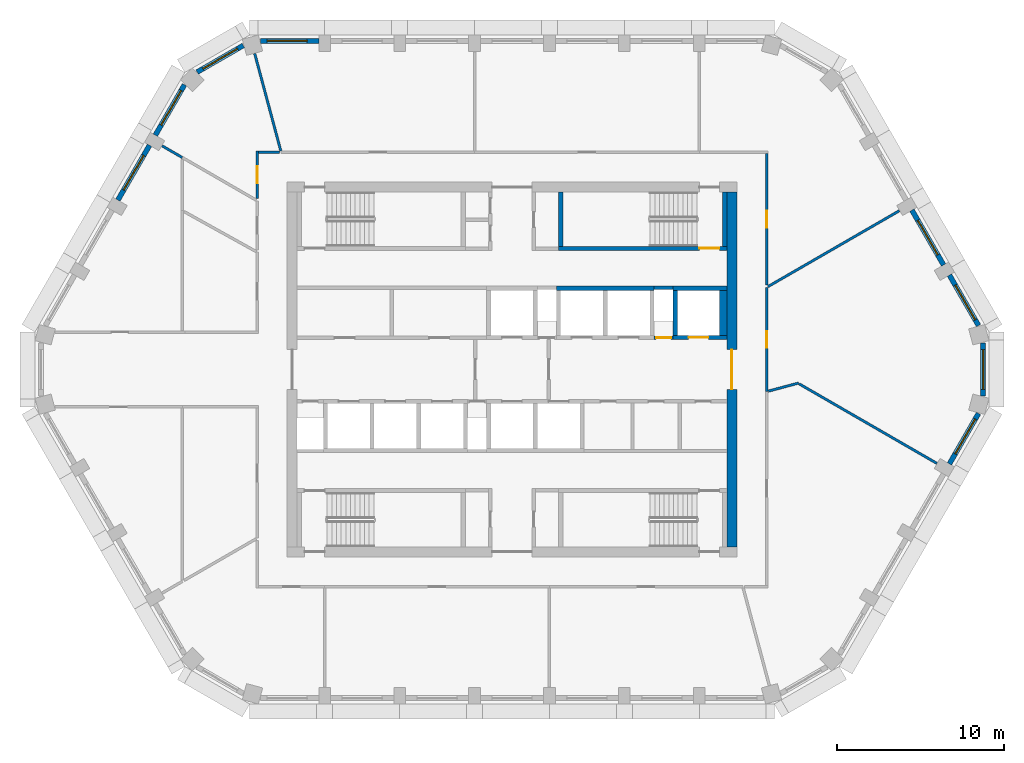
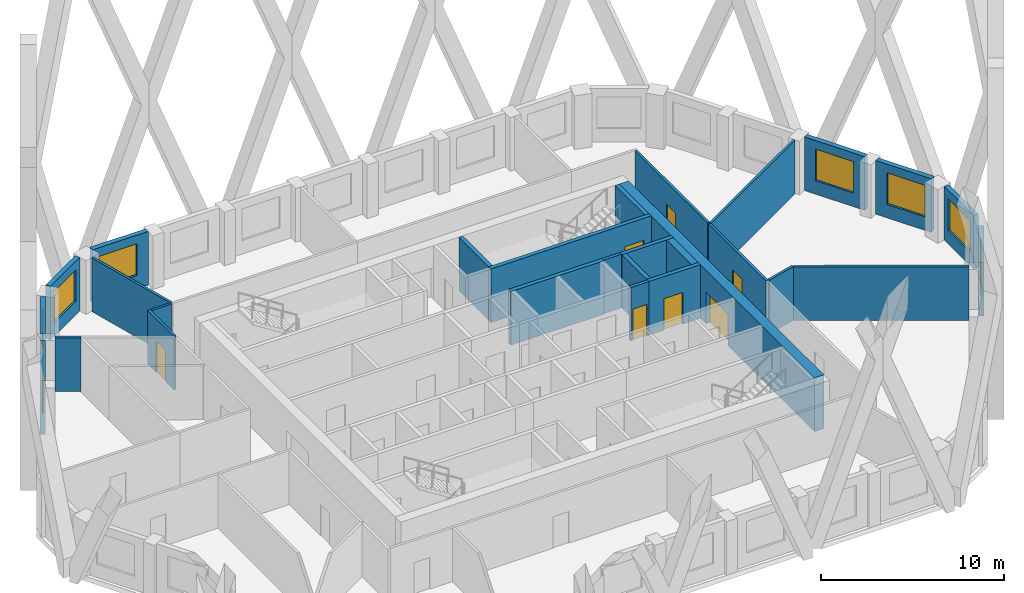
# One storey, part 5 of 13: 28 walls, 8 windows, 7 doors, 15 openings.
"""IFC4 building model written with IfcOpenShell, lengths in metres."""

from ifc_helpers import new_model, si_unit, direction, frame, frame_2d, origin, place, context, subcontext, project, spatial, polyline, rectangle, outline, extrude, material, layer, layer_set, type_object, element, fill, save


model = new_model("IFC4")

# Units and contexts
model_context = context("Model", 3, precision=1e-05, world=origin(), true_north=direction((0.0, 1.0)))
body_context = subcontext(model_context, "Body", "Model", "MODEL_VIEW")
ifc_project = project(units=[si_unit("LENGTHUNIT", "METRE"), si_unit("AREAUNIT", "SQUARE_METRE"), si_unit("VOLUMEUNIT", "CUBIC_METRE"), si_unit("PLANEANGLEUNIT", "RADIAN"), si_unit("MASSUNIT", "GRAM", prefix="KILO")], contexts=[model_context])

# Site, building, storey
site_placement = place(None, origin())
site = spatial("IfcSite", under=ifc_project, at=site_placement, CompositionType="ELEMENT")
building_placement = place(site_placement, origin())
building = spatial("IfcBuilding", under=site, at=building_placement, Name="Dhurran Vertical Campus", CompositionType="ELEMENT")
storey_placement = place(building_placement, frame((0.0, 0.0, 258.60009765625)))
storey = spatial("IfcBuildingStorey", under=building, at=storey_placement, Name="L64", CompositionType="ELEMENT", Elevation=258.60009765625)

# Wall, opening, window
ifc_material_1 = material(Name="Precast concrete C50/60", Category="concrete")
ifc_layer_1 = layer(ifc_material_1, 0.300048828125)
ifc_layer_set_1 = layer_set([ifc_layer_1], Name="Precast concrete C50/60")
wall_type_1 = type_object("IfcWallType", Name="Precast spandrel wall 300", PredefinedType="SOLIDWALL", material=ifc_layer_set_1)
wall_1_placement = place(storey_placement, frame((26.269287109375, -5.668701171875, 0.0), z_axis=(0.0, 0.0, 1.0), x_axis=(0.499990325971, 0.866030989016, 0.0)))
wall_1 = element("IfcWall", 1, at=wall_1_placement, inside=storey, type_object=wall_type_1, Name="EW1 L64.11", PredefinedType="SOLIDWALL", context=body_context, shape_type="SweptSolid", body=[
    extrude(rectangle(XDim=3.49755859375, YDim=0.300048828125, at=frame_2d((1.748779296875, 0.0))), origin(), (0.0, 0.0, 1.0), 3.574951171875),
])
opening_1_placement = place(wall_1_placement, frame((0.699462890625, 0.0, 0.89990234375)))
opening_1 = element("IfcOpeningElement", 2, at=opening_1_placement, cuts=wall_1, Name="Opening WT1", PredefinedType="OPENING", context=body_context, shape_type="SweptSolid", body=[
    extrude(rectangle(XDim=2.39990234375, YDim=2.10009765625, at=frame_2d((1.199951171875, 1.050048828125))), frame((0.0, 0.159912109375, 0.0), z_axis=(0.0, -1.0, 0.0), x_axis=(1.0, 0.0, 0.0)), (0.0, 0.0, 1.0), 0.320068359375),
])
ifc_material_2 = material(Name="Aluminium frame with solar-control glass", Category="aluminium")
window_type = type_object("IfcWindowType", Name="Punched window 2400 x 2100", PartitioningType="SINGLE_PANEL", PredefinedType="WINDOW", material=ifc_material_2)
window_1_placement = place(opening_1_placement, origin())
window_1 = element("IfcWindow", 3, at=window_1_placement, inside=storey, type_object=window_type, Name="WT1 L64.11", OverallHeight=2.10009765625, OverallWidth=2.39990234375, PartitioningType="SINGLE_PANEL", PredefinedType="WINDOW", context=body_context, shape_type="SweptSolid", body=[
    extrude(rectangle(XDim=2.39990234375, YDim=2.10009765625, at=frame_2d((1.199951171875, 1.050048828125))), frame((0.0, 0.030029296875, 0.0), z_axis=(0.0, -1.0, 0.0), x_axis=(1.0, 0.0, 0.0)), (0.0, 0.0, 1.0), 0.06005859375),
])
fill(opening_1, window_1)

wall_2_placement = place(storey_placement, frame((28.297119140625, -1.59814453125, 0.0), z_axis=(0.0, 0.0, 1.0), x_axis=(0.0, 1.0, 0.0)))
wall_2 = element("IfcWall", 4, at=wall_2_placement, inside=storey, type_object=wall_type_1, Name="EW1 L64.12", PredefinedType="SOLIDWALL", context=body_context, shape_type="SweptSolid", body=[
    extrude(rectangle(XDim=3.1962890625, YDim=0.300048828125, at=frame_2d((1.59814453125, 0.0))), origin(), (0.0, 0.0, 1.0), 3.574951171875),
])
opening_2_placement = place(wall_2_placement, frame((0.398193359375, 0.0, 0.89990234375)))
opening_2 = element("IfcOpeningElement", 5, at=opening_2_placement, cuts=wall_2, Name="Opening WT1", PredefinedType="OPENING", context=body_context, shape_type="SweptSolid", body=[
    extrude(rectangle(XDim=2.39990234375, YDim=2.10009765625, at=frame_2d((1.199951171875, 1.050048828125))), frame((0.0, 0.159912109375, 0.0), z_axis=(0.0, -1.0, 0.0), x_axis=(1.0, 0.0, 0.0)), (0.0, 0.0, 1.0), 0.320068359375),
])
window_2_placement = place(opening_2_placement, origin())
window_2 = element("IfcWindow", 6, at=window_2_placement, inside=storey, type_object=window_type, Name="WT1 L64.12", OverallHeight=2.10009765625, OverallWidth=2.39990234375, PartitioningType="SINGLE_PANEL", PredefinedType="WINDOW", context=body_context, shape_type="SweptSolid", body=[
    extrude(rectangle(XDim=2.39990234375, YDim=2.10009765625, at=frame_2d((1.199951171875, 1.050048828125))), frame((0.0, 0.030029296875, 0.0), z_axis=(0.0, -1.0, 0.0), x_axis=(1.0, 0.0, 0.0)), (0.0, 0.0, 1.0), 0.06005859375),
])
fill(opening_2, window_2)

wall_3_placement = place(storey_placement, frame((28.01806640625, 2.6396484375, 0.0), z_axis=(0.0, 0.0, 1.0), x_axis=(-0.499990325971, 0.866030989016, 0.0)))
wall_3 = element("IfcWall", 7, at=wall_3_placement, inside=storey, type_object=wall_type_1, Name="EW1 L64.13", PredefinedType="SOLIDWALL", context=body_context, shape_type="SweptSolid", body=[
    extrude(rectangle(XDim=3.49755859375, YDim=0.300048828125, at=frame_2d((1.748779296875, 0.0))), origin(), (0.0, 0.0, 1.0), 3.574951171875),
])
opening_3_placement = place(wall_3_placement, frame((0.398193359375, 0.0, 0.89990234375)))
opening_3 = element("IfcOpeningElement", 8, at=opening_3_placement, cuts=wall_3, Name="Opening WT1", PredefinedType="OPENING", context=body_context, shape_type="SweptSolid", body=[
    extrude(rectangle(XDim=2.39990234375, YDim=2.10009765625, at=frame_2d((1.199951171875, 1.050048828125))), frame((0.0, 0.159912109375, 0.0), z_axis=(0.0, -1.0, 0.0), x_axis=(1.0, 0.0, 0.0)), (0.0, 0.0, 1.0), 0.320068359375),
])
window_3_placement = place(opening_3_placement, origin())
window_3 = element("IfcWindow", 9, at=window_3_placement, inside=storey, type_object=window_type, Name="WT1 L64.13", OverallHeight=2.10009765625, OverallWidth=2.39990234375, PartitioningType="SINGLE_PANEL", PredefinedType="WINDOW", context=body_context, shape_type="SweptSolid", body=[
    extrude(rectangle(XDim=2.39990234375, YDim=2.10009765625, at=frame_2d((1.199951171875, 1.050048828125))), frame((0.0, 0.030029296875, 0.0), z_axis=(0.0, -1.0, 0.0), x_axis=(1.0, 0.0, 0.0)), (0.0, 0.0, 1.0), 0.06005859375),
])
fill(opening_3, window_3)

wall_4_placement = place(storey_placement, frame((25.918701171875, 6.275634765625, 0.0), z_axis=(0.0, 0.0, 1.0), x_axis=(-0.499982058975, 0.866035761792, 0.0)))
wall_4 = element("IfcWall", 10, at=wall_4_placement, inside=storey, type_object=wall_type_1, Name="EW1 L64.14", PredefinedType="SOLIDWALL", context=body_context, shape_type="SweptSolid", body=[
    extrude(rectangle(XDim=3.799072265625, YDim=0.300048828125, at=frame_2d((1.8994140625, 0.0))), origin(), (0.0, 0.0, 1.0), 3.574951171875),
])
opening_4_placement = place(wall_4_placement, frame((0.699462890625, 0.0, 0.89990234375)))
opening_4 = element("IfcOpeningElement", 11, at=opening_4_placement, cuts=wall_4, Name="Opening WT1", PredefinedType="OPENING", context=body_context, shape_type="SweptSolid", body=[
    extrude(rectangle(XDim=2.39990234375, YDim=2.10009765625, at=frame_2d((1.199951171875, 1.050048828125))), frame((0.0, 0.159912109375, 0.0), z_axis=(0.0, -1.0, 0.0), x_axis=(1.0, 0.0, 0.0)), (0.0, 0.0, 1.0), 0.320068359375),
])
window_4_placement = place(opening_4_placement, origin())
window_4 = element("IfcWindow", 12, at=window_4_placement, inside=storey, type_object=window_type, Name="WT1 L64.14", OverallHeight=2.10009765625, OverallWidth=2.39990234375, PartitioningType="SINGLE_PANEL", PredefinedType="WINDOW", context=body_context, shape_type="SweptSolid", body=[
    extrude(rectangle(XDim=2.39990234375, YDim=2.10009765625, at=frame_2d((1.199951171875, 1.050048828125))), frame((0.0, 0.030029296875, 0.0), z_axis=(0.0, -1.0, 0.0), x_axis=(1.0, 0.0, 0.0)), (0.0, 0.0, 1.0), 0.06005859375),
])
fill(opening_4, window_4)

wall_5_placement = place(storey_placement, frame((-11.6005859375, 19.738525390625, 0.0), z_axis=(0.0, 0.0, 1.0), x_axis=(-1.0, 0.0, 0.0)))
wall_5 = element("IfcWall", 13, at=wall_5_placement, inside=storey, type_object=wall_type_1, Name="EW1 L64.24", PredefinedType="SOLIDWALL", context=body_context, shape_type="SweptSolid", body=[
    extrude(rectangle(XDim=3.49755859375, YDim=0.300048828125, at=frame_2d((1.748779296875, 0.0))), origin(), (0.0, 0.0, 1.0), 3.574951171875),
])
opening_5_placement = place(wall_5_placement, frame((0.699462890625, 0.0, 0.89990234375)))
opening_5 = element("IfcOpeningElement", 14, at=opening_5_placement, cuts=wall_5, Name="Opening WT1", PredefinedType="OPENING", context=body_context, shape_type="SweptSolid", body=[
    extrude(rectangle(XDim=2.39990234375, YDim=2.10009765625, at=frame_2d((1.199951171875, 1.050048828125))), frame((0.0, 0.159912109375, 0.0), z_axis=(0.0, -1.0, 0.0), x_axis=(1.0, 0.0, 0.0)), (0.0, 0.0, 1.0), 0.320068359375),
])
window_5_placement = place(opening_5_placement, origin())
window_5 = element("IfcWindow", 15, at=window_5_placement, inside=storey, type_object=window_type, Name="WT1 L64.24", OverallHeight=2.10009765625, OverallWidth=2.39990234375, PartitioningType="SINGLE_PANEL", PredefinedType="WINDOW", context=body_context, shape_type="SweptSolid", body=[
    extrude(rectangle(XDim=2.39990234375, YDim=2.10009765625, at=frame_2d((1.199951171875, 1.050048828125))), frame((0.0, 0.030029296875, 0.0), z_axis=(0.0, -1.0, 0.0), x_axis=(1.0, 0.0, 0.0)), (0.0, 0.0, 1.0), 0.06005859375),
])
fill(opening_5, window_5)

wall_6_placement = place(storey_placement, frame((-16.1396484375, 19.45947265625, 0.0), z_axis=(0.0, 0.0, 1.0), x_axis=(-0.866025316205, -0.500000151692, 0.0)))
wall_6 = element("IfcWall", 16, at=wall_6_placement, inside=storey, type_object=wall_type_1, Name="EW1 L64.25", PredefinedType="SOLIDWALL", context=body_context, shape_type="SweptSolid", body=[
    extrude(rectangle(XDim=3.1962890625, YDim=0.300048828125, at=frame_2d((1.59814453125, 0.0))), origin(), (0.0, 0.0, 1.0), 3.574951171875),
])
opening_6_placement = place(wall_6_placement, frame((0.398193359375, 0.0, 0.89990234375)))
opening_6 = element("IfcOpeningElement", 17, at=opening_6_placement, cuts=wall_6, Name="Opening WT1", PredefinedType="OPENING", context=body_context, shape_type="SweptSolid", body=[
    extrude(rectangle(XDim=2.39990234375, YDim=2.10009765625, at=frame_2d((1.199951171875, 1.050048828125))), frame((0.0, 0.159912109375, 0.0), z_axis=(0.0, -1.0, 0.0), x_axis=(1.0, 0.0, 0.0)), (0.0, 0.0, 1.0), 0.320068359375),
])
window_6_placement = place(opening_6_placement, origin())
window_6 = element("IfcWindow", 18, at=window_6_placement, inside=storey, type_object=window_type, Name="WT1 L64.25", OverallHeight=2.10009765625, OverallWidth=2.39990234375, PartitioningType="SINGLE_PANEL", PredefinedType="WINDOW", context=body_context, shape_type="SweptSolid", body=[
    extrude(rectangle(XDim=2.39990234375, YDim=2.10009765625, at=frame_2d((1.199951171875, 1.050048828125))), frame((0.0, 0.030029296875, 0.0), z_axis=(0.0, -1.0, 0.0), x_axis=(1.0, 0.0, 0.0)), (0.0, 0.0, 1.0), 0.06005859375),
])
fill(opening_6, window_6)

wall_7_placement = place(storey_placement, frame((-19.669921875, 17.09912109375, 0.0), z_axis=(0.0, 0.0, 1.0), x_axis=(-0.499960102815, -0.866048437209, 0.0)))
wall_7 = element("IfcWall", 19, at=wall_7_placement, inside=storey, type_object=wall_type_1, Name="EW1 L64.26", PredefinedType="SOLIDWALL", context=body_context, shape_type="SweptSolid", body=[
    extrude(rectangle(XDim=3.497802734375, YDim=0.300048828125, at=frame_2d((1.7490234375, 0.0))), origin(), (0.0, 0.0, 1.0), 3.574951171875),
])
opening_7_placement = place(wall_7_placement, frame((0.398193359375, 0.0, 0.89990234375)))
opening_7 = element("IfcOpeningElement", 20, at=opening_7_placement, cuts=wall_7, Name="Opening WT1", PredefinedType="OPENING", context=body_context, shape_type="SweptSolid", body=[
    extrude(rectangle(XDim=2.39990234375, YDim=2.10009765625, at=frame_2d((1.199951171875, 1.050048828125))), frame((0.0, 0.159912109375, 0.0), z_axis=(0.0, -1.0, 0.0), x_axis=(1.0, 0.0, 0.0)), (0.0, 0.0, 1.0), 0.320068359375),
])
window_7_placement = place(opening_7_placement, origin())
window_7 = element("IfcWindow", 21, at=window_7_placement, inside=storey, type_object=window_type, Name="WT1 L64.26", OverallHeight=2.10009765625, OverallWidth=2.39990234375, PartitioningType="SINGLE_PANEL", PredefinedType="WINDOW", context=body_context, shape_type="SweptSolid", body=[
    extrude(rectangle(XDim=2.39990234375, YDim=2.10009765625, at=frame_2d((1.199951171875, 1.050048828125))), frame((0.0, 0.030029296875, 0.0), z_axis=(0.0, -1.0, 0.0), x_axis=(1.0, 0.0, 0.0)), (0.0, 0.0, 1.0), 0.06005859375),
])
fill(opening_7, window_7)

wall_8_placement = place(storey_placement, frame((-21.769287109375, 13.462890625, 0.0), z_axis=(0.0, 0.0, 1.0), x_axis=(-0.499982058975, -0.866035761792, 0.0)))
wall_8 = element("IfcWall", 22, at=wall_8_placement, inside=storey, type_object=wall_type_1, Name="EW1 L64.27", PredefinedType="SOLIDWALL", context=body_context, shape_type="SweptSolid", body=[
    extrude(rectangle(XDim=3.799072265625, YDim=0.300048828125, at=frame_2d((1.8994140625, 0.0))), origin(), (0.0, 0.0, 1.0), 3.574951171875),
])
opening_8_placement = place(wall_8_placement, frame((0.699462890625, 0.0, 0.89990234375)))
opening_8 = element("IfcOpeningElement", 23, at=opening_8_placement, cuts=wall_8, Name="Opening WT1", PredefinedType="OPENING", context=body_context, shape_type="SweptSolid", body=[
    extrude(rectangle(XDim=2.39990234375, YDim=2.10009765625, at=frame_2d((1.199951171875, 1.050048828125))), frame((0.0, 0.159912109375, 0.0), z_axis=(0.0, -1.0, 0.0), x_axis=(1.0, 0.0, 0.0)), (0.0, 0.0, 1.0), 0.320068359375),
])
window_8_placement = place(opening_8_placement, origin())
window_8 = element("IfcWindow", 24, at=window_8_placement, inside=storey, type_object=window_type, Name="WT1 L64.27", OverallHeight=2.10009765625, OverallWidth=2.39990234375, PartitioningType="SINGLE_PANEL", PredefinedType="WINDOW", context=body_context, shape_type="SweptSolid", body=[
    extrude(rectangle(XDim=2.39990234375, YDim=2.10009765625, at=frame_2d((1.199951171875, 1.050048828125))), frame((0.0, 0.030029296875, 0.0), z_axis=(0.0, -1.0, 0.0), x_axis=(1.0, 0.0, 0.0)), (0.0, 0.0, 1.0), 0.06005859375),
])
fill(opening_8, window_8)

# Wall, opening, door
ifc_material_3 = material(Name="Concrete C50/60", Category="concrete")
ifc_layer_2 = layer(ifc_material_3, 0.60009765625)
ifc_layer_set_2 = layer_set([ifc_layer_2], Name="Concrete C50/60")
wall_type_2 = type_object("IfcWallType", Name="co-CORE-WALL-C2-600", PredefinedType="SHEAR", material=ifc_layer_set_2)
wall_9_placement = place(storey_placement, frame((13.199951171875, -10.64990234375, 0.0), z_axis=(0.0, 0.0, 1.0), x_axis=(0.0, 1.0, 0.0)))
wall_9 = element("IfcWall", 25, at=wall_9_placement, inside=storey, type_object=wall_type_2, Name="Core wall E L64", PredefinedType="SHEAR", context=body_context, shape_type="SweptSolid", body=[
    extrude(rectangle(XDim=21.2998046875, YDim=0.60009765625, at=frame_2d((10.64990234375, 0.0))), origin(), (0.0, 0.0, 1.0), 3.574951171875),
])
opening_9_placement = place(wall_9_placement, frame((9.449951171875, 0.0, 0.0)))
opening_9 = element("IfcOpeningElement", 26, at=opening_9_placement, cuts=wall_9, Name="Opening CL2", PredefinedType="OPENING", context=body_context, shape_type="SweptSolid", body=[
    extrude(rectangle(XDim=2.39990234375, YDim=2.10009765625, at=frame_2d((1.199951171875, 1.050048828125))), frame((0.0, 0.31005859375, 0.0), z_axis=(0.0, -1.0, 0.0), x_axis=(1.0, 0.0, 0.0)), (0.0, 0.0, 1.0), 0.6201171875),
])
ifc_material_4 = material(Name="Fire-rated glazed door set")
door_type_1 = type_object("IfcDoorType", Name="co-D-LOBBY 2400x2100", OperationType="DOUBLE_DOOR_DOUBLE_SWING", PredefinedType="DOOR", material=ifc_material_4)
door_1_placement = place(opening_9_placement, origin())
door_1 = element("IfcDoor", 27, at=door_1_placement, inside=storey, type_object=door_type_1, Name="Lift lobby door E L64", OperationType="DOUBLE_DOOR_DOUBLE_SWING", OverallHeight=2.10009765625, OverallWidth=2.39990234375, PredefinedType="DOOR", context=body_context, shape_type="SweptSolid", body=[
    extrude(rectangle(XDim=2.39990234375, YDim=2.10009765625, at=frame_2d((1.199951171875, 1.050048828125))), frame((0.0, 0.02490234375, 0.0), z_axis=(0.0, -1.0, 0.0), x_axis=(1.0, 0.0, 0.0)), (0.0, 0.0, 1.0), 0.050048828125),
])
fill(opening_9, door_1)

ifc_material_5 = material(Name="Fire-rated masonry blockwork", Category="masonry")
ifc_layer_3 = layer(ifc_material_5, 0.199951171875)
ifc_layer_set_3 = layer_set([ifc_layer_3], Name="Fire-rated masonry blockwork")
wall_type_3 = type_object("IfcWallType", Name="co-FIRE-PARTITION-200", PredefinedType="PARTITIONING", material=ifc_layer_set_3)
wall_10_placement = place(storey_placement, frame((8.52490234375, 1.89990234375, 0.0), z_axis=(0.0, 0.0, 1.0), x_axis=(1.0, 0.0, 0.0)))
wall_10 = element("IfcWall", 28, at=wall_10_placement, inside=storey, type_object=wall_type_3, Name="Core partition fr-N2-f L64", PredefinedType="PARTITIONING", context=body_context, shape_type="SweptSolid", body=[
    extrude(rectangle(XDim=1.150146484375, YDim=0.199951171875, at=frame_2d((0.5751953125, 0.0))), origin(), (0.0, 0.0, 1.0), 3.574951171875),
])
opening_10_placement = place(wall_10_placement, frame((0.125, 0.0, 0.0)))
opening_10 = element("IfcOpeningElement", 29, at=opening_10_placement, cuts=wall_10, Name="Opening T19-C9", PredefinedType="OPENING", context=body_context, shape_type="SweptSolid", body=[
    extrude(rectangle(XDim=0.89990234375, YDim=2.10009765625, at=frame_2d((0.449951171875, 1.050048828125))), frame((0.0, 0.10986328125, 0.0), z_axis=(0.0, -1.0, 0.0), x_axis=(1.0, 0.0, 0.0)), (0.0, 0.0, 1.0), 0.219970703125),
])
ifc_material_6 = material(Name="Fire-rated timber door set", Category="wood")
door_type_2 = type_object("IfcDoorType", Name="co-D-ROOM 900x2100", OperationType="SINGLE_SWING_LEFT", PredefinedType="DOOR", material=ifc_material_6)
door_2_placement = place(opening_10_placement, origin())
door_2 = element("IfcDoor", 30, at=door_2_placement, inside=storey, type_object=door_type_2, Name="Communications riser door L64", OperationType="SINGLE_SWING_LEFT", OverallHeight=2.10009765625, OverallWidth=0.89990234375, PredefinedType="DOOR", context=body_context, shape_type="SweptSolid", body=[
    extrude(rectangle(XDim=0.89990234375, YDim=2.10009765625, at=frame_2d((0.449951171875, 1.050048828125))), frame((0.0, 0.02490234375, 0.0), z_axis=(0.0, -1.0, 0.0), x_axis=(1.0, 0.0, 0.0)), (0.0, 0.0, 1.0), 0.050048828125),
])
fill(opening_10, door_2)

# Wall
wall_11_placement = place(storey_placement, frame((8.52490234375, 4.89990234375, 0.0), z_axis=(0.0, 0.0, 1.0), x_axis=(1.0, 0.0, 0.0)))
element("IfcWall", 31, at=wall_11_placement, inside=storey, type_object=wall_type_3, Name="Core partition fr-N2-b L64", PredefinedType="PARTITIONING", context=body_context, shape_type="SweptSolid", body=[
    extrude(rectangle(XDim=1.150146484375, YDim=0.199951171875, at=frame_2d((0.5751953125, 0.0))), origin(), (0.0, 0.0, 1.0), 3.574951171875),
])

# Wall, opening, door
ifc_material_7 = material(Name="Concrete C50/60", Category="concrete")
ifc_layer_4 = layer(ifc_material_7, 0.25)
ifc_layer_set_4 = layer_set([ifc_layer_4], Name="Concrete C50/60")
wall_type_4 = type_object("IfcWallType", Name="co-SHAFT-FRONT-250", PredefinedType="SHEAR", material=ifc_layer_set_4)
wall_12_placement = place(storey_placement, frame((9.675048828125, 1.925048828125, 0.0), z_axis=(0.0, 0.0, 1.0), x_axis=(1.0, 0.0, 0.0)))
wall_12 = element("IfcWall", 32, at=wall_12_placement, inside=storey, type_object=wall_type_4, Name="Lift landing wall N L64", PredefinedType="SHEAR", context=body_context, shape_type="SweptSolid", body=[
    extrude(rectangle(XDim=3.224853515625, YDim=0.25, at=frame_2d((1.6123046875, 0.0))), origin(), (0.0, 0.0, 1.0), 3.574951171875),
])
opening_11_placement = place(wall_12_placement, frame((0.925048828125, 0.0, 0.0)))
opening_11 = element("IfcOpeningElement", 33, at=opening_11_placement, cuts=wall_12, Name="Opening LD", PredefinedType="OPENING", context=body_context, shape_type="SweptSolid", body=[
    extrude(rectangle(XDim=1.199951171875, YDim=2.10009765625, at=frame_2d((0.60009765625, 1.050048828125))), frame((0.0, 0.135009765625, 0.0), z_axis=(0.0, -1.0, 0.0), x_axis=(1.0, 0.0, 0.0)), (0.0, 0.0, 1.0), 0.27001953125),
])
ifc_material_8 = material(Name="Stainless steel landing door", Category="steel")
door_type_3 = type_object("IfcDoorType", Name="co-D-LANDING 1200x2100", OperationType="DOUBLE_DOOR_SLIDING", PredefinedType="DOOR", material=ifc_material_8)
door_3_placement = place(opening_11_placement, origin())
door_3 = element("IfcDoor", 34, at=door_3_placement, inside=storey, type_object=door_type_3, Name="Landing door SV2 L64", OperationType="DOUBLE_DOOR_SLIDING", OverallHeight=2.10009765625, OverallWidth=1.199951171875, PredefinedType="DOOR", context=body_context, shape_type="SweptSolid", body=[
    extrude(rectangle(XDim=1.199951171875, YDim=2.10009765625, at=frame_2d((0.60009765625, 1.050048828125))), frame((0.0, 0.02490234375, 0.0), z_axis=(0.0, -1.0, 0.0), x_axis=(1.0, 0.0, 0.0)), (0.0, 0.0, 1.0), 0.050048828125),
])
fill(opening_11, door_3)

# Walls
ifc_material_9 = material(Name="Concrete C50/60", Category="concrete")
ifc_layer_5 = layer(ifc_material_9, 0.25)
ifc_layer_set_5 = layer_set([ifc_layer_5], Name="Concrete C50/60")
wall_type_5 = type_object("IfcWallType", Name="co-SHAFT-MASS-250", PredefinedType="SHEAR", material=ifc_layer_set_5)
wall_13_placement = place(storey_placement, origin())
element("IfcWall", 35, at=wall_13_placement, inside=storey, type_object=wall_type_5, Name="Lift shaft wall N L64 2", PredefinedType="SHEAR", context=body_context, shape_type="SweptSolid", body=[
    extrude(outline(polyline([(2.675048828125, 4.75), (8.52490234375, 4.75), (8.52490234375, 5.0), (2.675048828125, 5.0), (2.675048828125, 4.75)])), origin(), (0.0, 0.0, 1.0), 3.574951171875),
])
wall_14_placement = place(storey_placement, origin())
element("IfcWall", 36, at=wall_14_placement, inside=storey, type_object=wall_type_5, Name="Lift shaft wall N L64 3", PredefinedType="SHEAR", context=body_context, shape_type="SweptSolid", body=[
    extrude(outline(polyline([(9.675048828125, 4.75), (12.89990234375, 4.75), (12.89990234375, 5.0), (9.675048828125, 5.0), (9.675048828125, 4.75)])), origin(), (0.0, 0.0, 1.0), 3.574951171875),
])
wall_15_placement = place(storey_placement, origin())
element("IfcWall", 37, at=wall_15_placement, inside=storey, type_object=wall_type_5, Name="Lift shaft wall N L64 9", PredefinedType="SHEAR", context=body_context, shape_type="SweptSolid", body=[
    extrude(outline(polyline([(9.675048828125, 2.050048828125), (9.925048828125, 2.050048828125), (9.925048828125, 4.75), (9.675048828125, 4.75), (9.675048828125, 2.050048828125)])), origin(), (0.0, 0.0, 1.0), 3.574951171875),
])
wall_16_placement = place(storey_placement, origin())
element("IfcWall", 38, at=wall_16_placement, inside=storey, type_object=wall_type_5, Name="Lift shaft wall N L64 10", PredefinedType="SHEAR", context=body_context, shape_type="SweptSolid", body=[
    extrude(outline(polyline([(12.47509765625, 2.050048828125), (12.89990234375, 2.050048828125), (12.89990234375, 4.75), (12.47509765625, 4.75), (12.47509765625, 2.050048828125)])), origin(), (0.0, 0.0, 1.0), 3.574951171875),
])

# Wall, opening, door
ifc_material_10 = material(Name="Concrete C40/50", Category="concrete")
ifc_layer_6 = layer(ifc_material_10, 0.25)
ifc_layer_set_6 = layer_set([ifc_layer_6], Name="Concrete C40/50")
wall_type_6 = type_object("IfcWallType", Name="co-STAIR-WALL-250", PredefinedType="SHEAR", material=ifc_layer_set_6)
wall_17_placement = place(storey_placement, frame((2.800048828125, 7.27490234375, 0.0), z_axis=(0.0, 0.0, 1.0), x_axis=(1.0, 0.0, 0.0)))
wall_17 = element("IfcWall", 39, at=wall_17_placement, inside=storey, type_object=wall_type_6, Name="Stair ST2 enclosure wall L64", PredefinedType="SHEAR", context=body_context, shape_type="SweptSolid", body=[
    extrude(rectangle(XDim=10.099853515625, YDim=0.25, at=frame_2d((5.0498046875, 0.0))), origin(), (0.0, 0.0, 1.0), 3.574951171875),
])
opening_12_placement = place(wall_17_placement, frame((8.449951171875, 0.0, 0.0)))
opening_12 = element("IfcOpeningElement", 40, at=opening_12_placement, cuts=wall_17, Name="Opening SD2", PredefinedType="OPENING", context=body_context, shape_type="SweptSolid", body=[
    extrude(rectangle(XDim=1.199951171875, YDim=2.10009765625, at=frame_2d((0.60009765625, 1.050048828125))), frame((0.0, 0.135009765625, 0.0), z_axis=(0.0, -1.0, 0.0), x_axis=(1.0, 0.0, 0.0)), (0.0, 0.0, 1.0), 0.27001953125),
])
ifc_material_11 = material(Name="Fire-rated steel door set", Category="steel")
door_type_4 = type_object("IfcDoorType", Name="co-D-STAIR 1200x2100", OperationType="SINGLE_SWING_LEFT", PredefinedType="DOOR", material=ifc_material_11)
door_4_placement = place(opening_12_placement, origin())
door_4 = element("IfcDoor", 41, at=door_4_placement, inside=storey, type_object=door_type_4, Name="Stair ST2 door L64", OperationType="SINGLE_SWING_LEFT", OverallHeight=2.10009765625, OverallWidth=1.199951171875, PredefinedType="DOOR", context=body_context, shape_type="SweptSolid", body=[
    extrude(rectangle(XDim=1.199951171875, YDim=2.10009765625, at=frame_2d((0.60009765625, 1.050048828125))), frame((0.0, 0.02490234375, 0.0), z_axis=(0.0, -1.0, 0.0), x_axis=(1.0, 0.0, 0.0)), (0.0, 0.0, 1.0), 0.050048828125),
])
fill(opening_12, door_4)

# Walls
for number, where, z_axis, x_axis, name in (
    (42, (2.925048828125, 7.39990234375, 0.0), (0.0, 0.0, 1.0), (0.0, 1.0, 0.0), "Stair ST2 enclosure wall L64"),
    (43, (12.77490234375, 7.39990234375, 0.0), (0.0, 0.0, 1.0), (0.0, 1.0, 0.0), "Stair ST2 enclosure wall L64"),
):
    element("IfcWall", number, at=place(storey_placement, frame(where, z_axis=z_axis, x_axis=x_axis)), inside=storey, type_object=wall_type_6, Name=name, PredefinedType="SHEAR", context=body_context, shape_type="SweptSolid", body=[
        extrude(rectangle(XDim=3.25, YDim=0.25, at=frame_2d((1.625, 0.0))), origin(), (0.0, 0.0, 1.0), 3.574951171875),
    ])

# Wall, opening, door
ifc_material_12 = material(Name="Gypsum board corridor wall on steel studs", Category="steel")
ifc_layer_7 = layer(ifc_material_12, 0.14990234375)
ifc_layer_set_7 = layer_set([ifc_layer_7], Name="Gypsum board corridor wall on steel studs")
wall_type_7 = type_object("IfcWallType", Name="fl-CW-150 corridor wall", PredefinedType="PARTITIONING", material=ifc_layer_set_7)
wall_18_placement = place(storey_placement, frame((-15.300048828125, 13.125, 0.0), z_axis=(0.0, 0.0, 1.0), x_axis=(0.0, -1.0, 0.0)))
wall_18 = element("IfcWall", 44, at=wall_18_placement, inside=storey, type_object=wall_type_7, Name="Partition 64-19", PredefinedType="PARTITIONING", context=body_context, shape_type="SweptSolid", body=[
    extrude(rectangle(XDim=2.863037109375, YDim=0.14990234375, at=frame_2d((1.431640625, 0.0))), origin(), (0.0, 0.0, 1.0), 3.574951171875),
])
opening_13_placement = place(wall_18_placement, frame((0.931396484375, 0.0, 0.0)))
opening_13 = element("IfcOpeningElement", 45, at=opening_13_placement, cuts=wall_18, Name="Opening T19.06", PredefinedType="OPENING", context=body_context, shape_type="SweptSolid", body=[
    extrude(rectangle(XDim=1.0, YDim=2.10009765625, at=frame_2d((0.5, 1.050048828125))), frame((0.0, 0.0849609375, 0.0), z_axis=(0.0, -1.0, 0.0), x_axis=(1.0, 0.0, 0.0)), (0.0, 0.0, 1.0), 0.169921875),
])
ifc_material_13 = material(Name="Solid-core timber door set, fire-rated", Category="wood")
door_type_5 = type_object("IfcDoorType", Name="fl-D-1000x2100", OperationType="SINGLE_SWING_LEFT", PredefinedType="DOOR", material=ifc_material_13)
door_5_placement = place(opening_13_placement, origin())
door_5 = element("IfcDoor", 46, at=door_5_placement, inside=storey, type_object=door_type_5, Name="Door 64.06", OperationType="SINGLE_SWING_RIGHT", OverallHeight=2.10009765625, OverallWidth=1.0, PredefinedType="DOOR", context=body_context, shape_type="SweptSolid", body=[
    extrude(rectangle(XDim=1.0, YDim=2.10009765625, at=frame_2d((0.5, 1.050048828125))), frame((0.0, 0.02490234375, 0.0), z_axis=(0.0, -1.0, 0.0), x_axis=(1.0, 0.0, 0.0)), (0.0, 0.0, 1.0), 0.050048828125),
])
fill(opening_13, door_5)

# Wall
wall_19_placement = place(storey_placement, frame((-13.958984375, 13.050048828125, 0.0), z_axis=(0.0, 0.0, 1.0), x_axis=(-1.0, 0.0, 0.0)))
element("IfcWall", 47, at=wall_19_placement, inside=storey, type_object=wall_type_7, Name="Partition 64-20", PredefinedType="PARTITIONING", context=body_context, shape_type="SweptSolid", body=[
    extrude(rectangle(XDim=1.26611328125, YDim=0.14990234375, at=frame_2d((0.633056640625, 0.0))), origin(), (0.0, 0.0, 1.0), 3.574951171875),
])

# Wall, opening, door
wall_20_placement = place(storey_placement, frame((15.300048828125, -1.325927734375, 0.0), z_axis=(0.0, 0.0, 1.0), x_axis=(0.0, 1.0, 0.0)))
wall_20 = element("IfcWall", 48, at=wall_20_placement, inside=storey, type_object=wall_type_7, Name="Partition 64-33", PredefinedType="PARTITIONING", context=body_context, shape_type="SweptSolid", body=[
    extrude(rectangle(XDim=6.261962890625, YDim=0.14990234375, at=frame_2d((3.130859375, 0.0))), origin(), (0.0, 0.0, 1.0), 3.574951171875),
])
opening_14_placement = place(wall_20_placement, frame((2.631103515625, 0.0, 0.0)))
opening_14 = element("IfcOpeningElement", 49, at=opening_14_placement, cuts=wall_20, Name="Opening T19.14", PredefinedType="OPENING", context=body_context, shape_type="SweptSolid", body=[
    extrude(rectangle(XDim=1.0, YDim=2.10009765625, at=frame_2d((0.5, 1.050048828125))), frame((0.0, 0.0849609375, 0.0), z_axis=(0.0, -1.0, 0.0), x_axis=(1.0, 0.0, 0.0)), (0.0, 0.0, 1.0), 0.169921875),
])
door_6_placement = place(opening_14_placement, origin())
door_6 = element("IfcDoor", 50, at=door_6_placement, inside=storey, type_object=door_type_5, Name="Door 64.14", OperationType="SINGLE_SWING_RIGHT", OverallHeight=2.10009765625, OverallWidth=1.0, PredefinedType="DOOR", context=body_context, shape_type="SweptSolid", body=[
    extrude(rectangle(XDim=1.0, YDim=2.10009765625, at=frame_2d((0.5, 1.050048828125))), frame((0.0, 0.02490234375, 0.0), z_axis=(0.0, -1.0, 0.0), x_axis=(1.0, 0.0, 0.0)), (0.0, 0.0, 1.0), 0.050048828125),
])
fill(opening_14, door_6)

wall_21_placement = place(storey_placement, frame((15.300048828125, 5.06591796875, 0.0), z_axis=(0.0, 0.0, 1.0), x_axis=(0.0, 1.0, 0.0)))
wall_21 = element("IfcWall", 51, at=wall_21_placement, inside=storey, type_object=wall_type_7, Name="Partition 64-35", PredefinedType="PARTITIONING", context=body_context, shape_type="SweptSolid", body=[
    extrude(rectangle(XDim=7.9091796875, YDim=0.14990234375, at=frame_2d((3.95458984375, 0.0))), origin(), (0.0, 0.0, 1.0), 3.574951171875),
])
opening_15_placement = place(wall_21_placement, frame((3.45458984375, 0.0, 0.0)))
opening_15 = element("IfcOpeningElement", 52, at=opening_15_placement, cuts=wall_21, Name="Opening T19.12", PredefinedType="OPENING", context=body_context, shape_type="SweptSolid", body=[
    extrude(rectangle(XDim=1.0, YDim=2.10009765625, at=frame_2d((0.5, 1.050048828125))), frame((0.0, 0.0849609375, 0.0), z_axis=(0.0, -1.0, 0.0), x_axis=(1.0, 0.0, 0.0)), (0.0, 0.0, 1.0), 0.169921875),
])
door_7_placement = place(opening_15_placement, origin())
door_7 = element("IfcDoor", 53, at=door_7_placement, inside=storey, type_object=door_type_5, Name="Door 64.12", OperationType="SINGLE_SWING_RIGHT", OverallHeight=2.10009765625, OverallWidth=1.0, PredefinedType="DOOR", context=body_context, shape_type="SweptSolid", body=[
    extrude(rectangle(XDim=1.0, YDim=2.10009765625, at=frame_2d((0.5, 1.050048828125))), frame((0.0, 0.02490234375, 0.0), z_axis=(0.0, -1.0, 0.0), x_axis=(1.0, 0.0, 0.0)), (0.0, 0.0, 1.0), 0.050048828125),
])
fill(opening_15, door_7)

# Walls
ifc_material_14 = material(Name="Gypsum board partition on steel studs", Category="steel")
ifc_layer_8 = layer(ifc_material_14, 0.14990234375)
ifc_layer_set_8 = layer_set([ifc_layer_8], Name="Gypsum board partition on steel studs")
wall_type_8 = type_object("IfcWallType", Name="fl-PW-150 fixed partition", PredefinedType="PARTITIONING", material=ifc_layer_set_8)
wall_22_placement = place(storey_placement, frame((-21.013916015625, 13.43115234375, 0.0), z_axis=(0.0, 0.0, 1.0), x_axis=(0.865918715181, -0.500184744569, 0.0)))
element("IfcWall", 54, at=wall_22_placement, inside=storey, type_object=wall_type_8, Name="Partition 64-04", PredefinedType="PARTITIONING", context=body_context, shape_type="SweptSolid", body=[
    extrude(rectangle(XDim=1.40185546875, YDim=0.14990234375, at=frame_2d((0.700927734375, 0.0))), origin(), (0.0, 0.0, 1.0), 3.574951171875),
])
wall_23_placement = place(storey_placement, frame((-15.45166015625, 18.9736328125, 0.0), z_axis=(0.0, 0.0, 1.0), x_axis=(0.258896568031, -0.965905050749, 0.0)))
element("IfcWall", 55, at=wall_23_placement, inside=storey, type_object=wall_type_8, Name="Partition 64-13", PredefinedType="PARTITIONING", context=body_context, shape_type="SweptSolid", body=[
    extrude(rectangle(XDim=6.057861328125, YDim=0.14990234375, at=frame_2d((3.02880859375, 0.0))), origin(), (0.0, 0.0, 1.0), 3.574951171875),
])
wall_24_placement = place(storey_placement, frame((15.391845703125, -1.301513671875, 0.0), z_axis=(0.0, 0.0, 1.0), x_axis=(0.966004184231, 0.258526432009, 0.0)))
element("IfcWall", 56, at=wall_24_placement, inside=storey, type_object=wall_type_8, Name="Partition 64-34", PredefinedType="PARTITIONING", context=body_context, shape_type="SweptSolid", body=[
    extrude(rectangle(XDim=1.882080078125, YDim=0.14990234375, at=frame_2d((0.94091796875, 0.0))), origin(), (0.0, 0.0, 1.0), 3.574951171875),
])
wall_25_placement = place(storey_placement, frame((23.263916015625, 9.5341796875, 0.0), z_axis=(0.0, 0.0, 1.0), x_axis=(-0.866009068046, -0.500028293261, 0.0)))
element("IfcWall", 57, at=wall_25_placement, inside=storey, type_object=wall_type_8, Name="Partition 64-36", PredefinedType="PARTITIONING", context=body_context, shape_type="SweptSolid", body=[
    extrude(rectangle(XDim=9.12109375, YDim=0.14990234375, at=frame_2d((4.560546875, 0.0))), origin(), (0.0, 0.0, 1.0), 3.574951171875),
])
wall_26_placement = place(storey_placement, frame((17.240966796875, -0.861572265625, 0.0), z_axis=(0.0, 0.0, 1.0), x_axis=(0.86605322396, -0.499951810946, 0.0)))
element("IfcWall", 58, at=wall_26_placement, inside=storey, type_object=wall_type_8, Name="Partition 64-37", PredefinedType="PARTITIONING", context=body_context, shape_type="SweptSolid", body=[
    extrude(rectangle(XDim=9.55224609375, YDim=0.14990234375, at=frame_2d((4.776123046875, 0.0))), origin(), (0.0, 0.0, 1.0), 3.574951171875),
])

save(model, "model.ifc")
